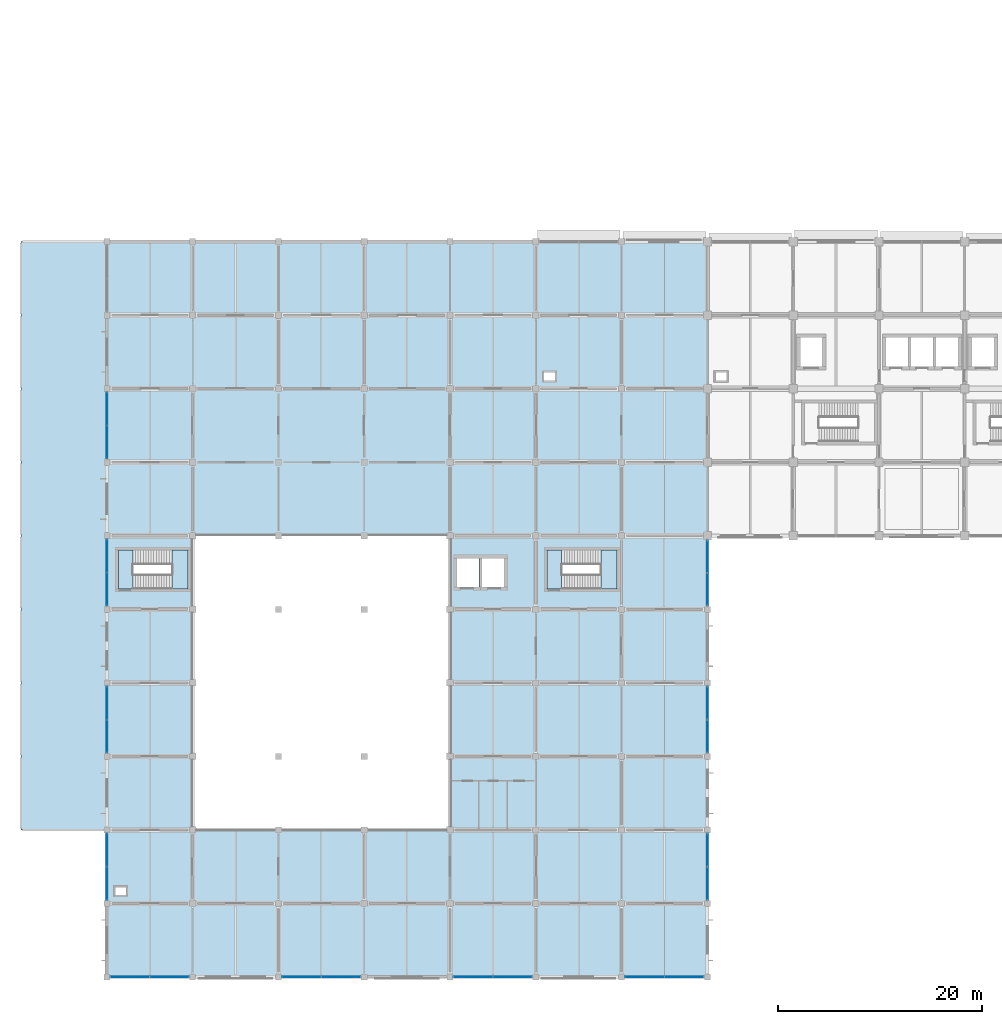
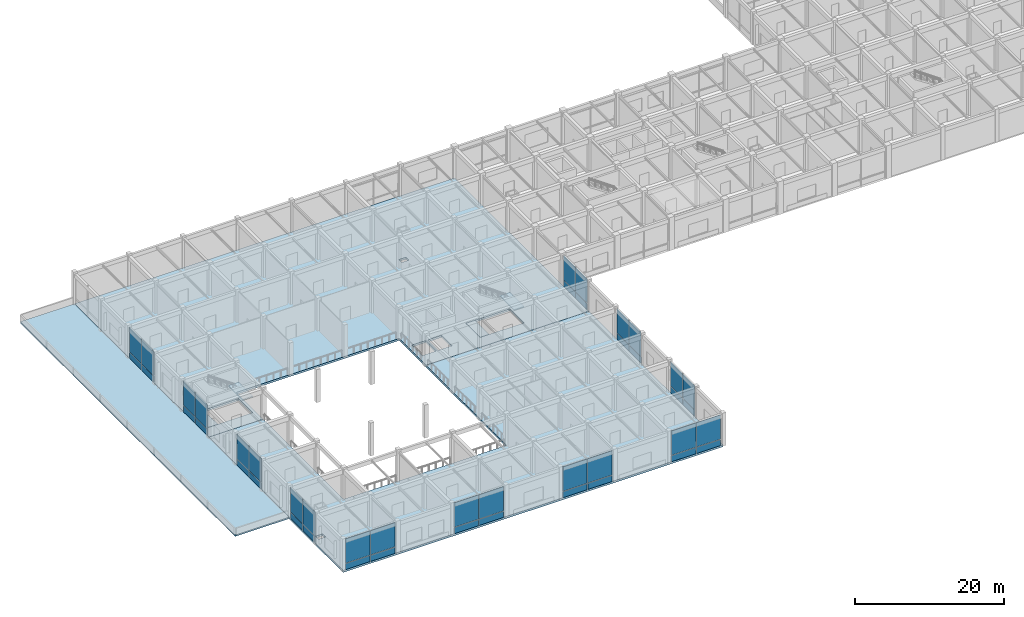
# One storey, part 16 of 38: 44 plates, 7 slabs, 13 elements without a shape of their own.
"""IFC4 building model written with IfcOpenShell, lengths in metres."""

from ifc_helpers import new_model, si_unit, derived_unit, direction, frame, origin, origin_2d, place, context, subcontext, project, spatial, polyline, rectangle, outline, extrude, material, layer, layer_set, type_object, element, aggregate, save


model = new_model("IFC4")

# Units and contexts
model_context = context("Model", 3, precision=1e-05, world=origin(), true_north=direction((0.0, 1.0)))
body_context = subcontext(model_context, "Body", "Model", "MODEL_VIEW")
ifc_project = project(units=[si_unit("LENGTHUNIT", "METRE"), si_unit("AREAUNIT", "SQUARE_METRE"), si_unit("VOLUMEUNIT", "CUBIC_METRE"), si_unit("PLANEANGLEUNIT", "RADIAN"), si_unit("MASSUNIT", "GRAM", prefix="KILO"), derived_unit("THERMALTRANSMITTANCEUNIT", [(si_unit("MASSUNIT", "GRAM", prefix="KILO"), 1), (si_unit("TIMEUNIT", "SECOND"), -3), (si_unit("THERMODYNAMICTEMPERATUREUNIT", "KELVIN"), -1)])], contexts=[model_context])

# Site, building, storey
site_placement = place(None, origin())
site = spatial("IfcSite", under=ifc_project, at=site_placement, CompositionType="ELEMENT")
building_placement = place(site_placement, origin())
building = spatial("IfcBuilding", under=site, at=building_placement, Name="Veldstrom Oceanarium and Marine Research Institute", CompositionType="ELEMENT")
storey_placement = place(building_placement, frame((0.0, 0.0, 11.39990234375)))
storey = spatial("IfcBuildingStorey", under=building, at=storey_placement, Name="L02", CompositionType="ELEMENT", Elevation=11.39990234375)

# Curtain wall, plates
ifc_material_1 = material(Name="Anodised Aluminium Framing", Category="aluminium")
curtain_wall_type_1 = type_object("IfcCurtainWallType", Name="ARC-CW-CW02", PredefinedType="USERDEFINED", material=ifc_material_1)
curtain_wall_1_placement = place(storey_placement, origin())
curtain_wall_1 = element("IfcCurtainWall", 1, at=curtain_wall_1_placement, inside=storey, type_object=curtain_wall_type_1, Name="Curtain Wall CW02 CW-L02-017", ObjectType="Curtain wall", PredefinedType="USERDEFINED")
ifc_material_2 = material(Name="Insulated Aluminium Spandrel", Category="aluminium")
ifc_layer_1 = layer(ifc_material_2, 0.044921875)
ifc_layer_set_1 = layer_set([ifc_layer_1], Name="ARC-PLT-CP02")
plate_type_1 = type_object("IfcPlateType", Name="ARC-PLT-CP02", PredefinedType="CURTAIN_PANEL", material=ifc_layer_set_1)
plate_1_placement = place(storey_placement, frame((10.669921875, 0.0, 0.02001953125), z_axis=(0.0, 0.0, 1.0), x_axis=(1.0, 0.0, 0.0)))
plate_1 = element("IfcPlate", 2, at=plate_1_placement, type_object=plate_type_1, Name="Curtain Spandrel Panel CW-L02-017-PNL-S1", PredefinedType="CURTAIN_PANEL", context=body_context, shape_type="SweptSolid", body=[
    extrude(rectangle(XDim=3.780029296875, YDim=0.044921875, at=origin_2d()), origin(), (0.0, 0.0, 1.0), 0.989990234375),
])
plate_2_placement = place(storey_placement, frame((14.530029296875, 0.0, 0.02001953125), z_axis=(0.0, 0.0, 1.0), x_axis=(1.0, 0.0, 0.0)))
plate_2 = element("IfcPlate", 3, at=plate_2_placement, type_object=plate_type_1, Name="Curtain Spandrel Panel CW-L02-017-PNL-S2", PredefinedType="CURTAIN_PANEL", context=body_context, shape_type="SweptSolid", body=[
    extrude(rectangle(XDim=3.780029296875, YDim=0.044921875, at=origin_2d()), origin(), (0.0, 0.0, 1.0), 0.989990234375),
])

curtain_wall_2_placement = place(storey_placement, origin())
curtain_wall_2 = element("IfcCurtainWall", 4, at=curtain_wall_2_placement, inside=storey, type_object=curtain_wall_type_1, Name="Curtain Wall CW02 CW-L02-023", ObjectType="Curtain wall", PredefinedType="USERDEFINED")
plate_3_placement = place(storey_placement, frame((27.469970703125, 0.0, 0.02001953125), z_axis=(0.0, 0.0, 1.0), x_axis=(1.0, 0.0, 0.0)))
plate_3 = element("IfcPlate", 5, at=plate_3_placement, type_object=plate_type_1, Name="Curtain Spandrel Panel CW-L02-023-PNL-S1", PredefinedType="CURTAIN_PANEL", context=body_context, shape_type="SweptSolid", body=[
    extrude(rectangle(XDim=3.780029296875, YDim=0.044921875, at=origin_2d()), origin(), (0.0, 0.0, 1.0), 0.989990234375),
])
plate_4_placement = place(storey_placement, frame((31.330078125, 0.0, 0.02001953125), z_axis=(0.0, 0.0, 1.0), x_axis=(1.0, 0.0, 0.0)))
plate_4 = element("IfcPlate", 6, at=plate_4_placement, type_object=plate_type_1, Name="Curtain Spandrel Panel CW-L02-023-PNL-S2", PredefinedType="CURTAIN_PANEL", context=body_context, shape_type="SweptSolid", body=[
    extrude(rectangle(XDim=3.780029296875, YDim=0.044921875, at=origin_2d()), origin(), (0.0, 0.0, 1.0), 0.989990234375),
])

curtain_wall_3_placement = place(storey_placement, origin())
curtain_wall_3 = element("IfcCurtainWall", 7, at=curtain_wall_3_placement, inside=storey, type_object=curtain_wall_type_1, Name="Curtain Wall CW02 CW-L02-024", ObjectType="Curtain wall", PredefinedType="USERDEFINED")
plate_5_placement = place(storey_placement, frame((44.27001953125, 0.0, 0.02001953125), z_axis=(0.0, 0.0, 1.0), x_axis=(1.0, 0.0, 0.0)))
plate_5 = element("IfcPlate", 8, at=plate_5_placement, type_object=plate_type_1, Name="Curtain Spandrel Panel CW-L02-024-PNL-S1", PredefinedType="CURTAIN_PANEL", context=body_context, shape_type="SweptSolid", body=[
    extrude(rectangle(XDim=3.780029296875, YDim=0.044921875, at=origin_2d()), origin(), (0.0, 0.0, 1.0), 0.989990234375),
])
plate_6_placement = place(storey_placement, frame((48.1298828125, 0.0, 0.02001953125), z_axis=(0.0, 0.0, 1.0), x_axis=(1.0, 0.0, 0.0)))
plate_6 = element("IfcPlate", 9, at=plate_6_placement, type_object=plate_type_1, Name="Curtain Spandrel Panel CW-L02-024-PNL-S2", PredefinedType="CURTAIN_PANEL", context=body_context, shape_type="SweptSolid", body=[
    extrude(rectangle(XDim=3.780029296875, YDim=0.044921875, at=origin_2d()), origin(), (0.0, 0.0, 1.0), 0.989990234375),
])

curtain_wall_4_placement = place(storey_placement, origin())
curtain_wall_4 = element("IfcCurtainWall", 10, at=curtain_wall_4_placement, inside=storey, type_object=curtain_wall_type_1, Name="Curtain Wall CW02 CW-L02-026", ObjectType="Curtain wall", PredefinedType="USERDEFINED")
plate_7_placement = place(storey_placement, frame((61.070068359375, 0.0, 0.02001953125), z_axis=(0.0, 0.0, 1.0), x_axis=(1.0, 0.0, 0.0)))
plate_7 = element("IfcPlate", 11, at=plate_7_placement, type_object=plate_type_1, Name="Curtain Spandrel Panel CW-L02-026-PNL-S1", PredefinedType="CURTAIN_PANEL", context=body_context, shape_type="SweptSolid", body=[
    extrude(rectangle(XDim=3.780029296875, YDim=0.044921875, at=origin_2d()), origin(), (0.0, 0.0, 1.0), 0.989990234375),
])
plate_8_placement = place(storey_placement, frame((64.929931640625, 0.0, 0.02001953125), z_axis=(0.0, 0.0, 1.0), x_axis=(1.0, 0.0, 0.0)))
plate_8 = element("IfcPlate", 12, at=plate_8_placement, type_object=plate_type_1, Name="Curtain Spandrel Panel CW-L02-026-PNL-S2", PredefinedType="CURTAIN_PANEL", context=body_context, shape_type="SweptSolid", body=[
    extrude(rectangle(XDim=3.780029296875, YDim=0.044921875, at=origin_2d()), origin(), (0.0, 0.0, 1.0), 0.989990234375),
])

ifc_material_3 = material(Name="Anodised Aluminium Framing", Category="aluminium")
curtain_wall_type_2 = type_object("IfcCurtainWallType", Name="ARC-CW-CW06", PredefinedType="USERDEFINED", material=ifc_material_3)
curtain_wall_5_placement = place(storey_placement, origin())
curtain_wall_5 = element("IfcCurtainWall", 13, at=curtain_wall_5_placement, inside=storey, type_object=curtain_wall_type_2, Name="Curtain Wall CW06 CW-L02-018", ObjectType="Curtain wall", PredefinedType="USERDEFINED")
ifc_material_4 = material(Name="Insulated Aluminium Spandrel", Category="aluminium")
ifc_layer_2 = layer(ifc_material_4, 0.044921875)
ifc_layer_set_2 = layer_set([ifc_layer_2], Name="ARC-PLT-CP06")
plate_type_2 = type_object("IfcPlateType", Name="ARC-PLT-CP06", PredefinedType="CURTAIN_PANEL", material=ifc_layer_set_2)
plate_9_placement = place(storey_placement, frame((8.39990234375, 9.169921875, 0.02001953125), z_axis=(0.0, 0.0, 1.0), x_axis=(0.0, 1.0, 0.0)))
plate_9 = element("IfcPlate", 14, at=plate_9_placement, type_object=plate_type_2, Name="Curtain Spandrel Panel CW-L02-018-PNL-S1", PredefinedType="CURTAIN_PANEL", context=body_context, shape_type="SweptSolid", body=[
    extrude(rectangle(XDim=3.179931640625, YDim=0.044921875, at=origin_2d()), origin(), (0.0, 0.0, 1.0), 0.989990234375),
])
plate_10_placement = place(storey_placement, frame((8.39990234375, 12.429931640625, 0.02001953125), z_axis=(0.0, 0.0, 1.0), x_axis=(0.0, 1.0, 0.0)))
plate_10 = element("IfcPlate", 15, at=plate_10_placement, type_object=plate_type_2, Name="Curtain Spandrel Panel CW-L02-018-PNL-S2", PredefinedType="CURTAIN_PANEL", context=body_context, shape_type="SweptSolid", body=[
    extrude(rectangle(XDim=3.179931640625, YDim=0.044921875, at=origin_2d()), origin(), (0.0, 0.0, 1.0), 0.989990234375),
])

curtain_wall_6_placement = place(storey_placement, origin())
curtain_wall_6 = element("IfcCurtainWall", 16, at=curtain_wall_6_placement, inside=storey, type_object=curtain_wall_type_2, Name="Curtain Wall CW06 CW-L02-019", ObjectType="Curtain wall", PredefinedType="USERDEFINED")
plate_11_placement = place(storey_placement, frame((8.39990234375, 23.570068359375, 0.02001953125), z_axis=(0.0, 0.0, 1.0), x_axis=(0.0, 1.0, 0.0)))
plate_11 = element("IfcPlate", 17, at=plate_11_placement, type_object=plate_type_2, Name="Curtain Spandrel Panel CW-L02-019-PNL-S1", PredefinedType="CURTAIN_PANEL", context=body_context, shape_type="SweptSolid", body=[
    extrude(rectangle(XDim=3.179931640625, YDim=0.044921875, at=origin_2d()), origin(), (0.0, 0.0, 1.0), 0.989990234375),
])
plate_12_placement = place(storey_placement, frame((8.39990234375, 26.830078125, 0.02001953125), z_axis=(0.0, 0.0, 1.0), x_axis=(0.0, 1.0, 0.0)))
plate_12 = element("IfcPlate", 18, at=plate_12_placement, type_object=plate_type_2, Name="Curtain Spandrel Panel CW-L02-019-PNL-S2", PredefinedType="CURTAIN_PANEL", context=body_context, shape_type="SweptSolid", body=[
    extrude(rectangle(XDim=3.179931640625, YDim=0.044921875, at=origin_2d()), origin(), (0.0, 0.0, 1.0), 0.989990234375),
])

curtain_wall_7_placement = place(storey_placement, origin())
curtain_wall_7 = element("IfcCurtainWall", 19, at=curtain_wall_7_placement, inside=storey, type_object=curtain_wall_type_2, Name="Curtain Wall CW06 CW-L02-020", ObjectType="Curtain wall", PredefinedType="USERDEFINED")
plate_13_placement = place(storey_placement, frame((8.39990234375, 37.969970703125, 0.02001953125), z_axis=(0.0, 0.0, 1.0), x_axis=(0.0, 1.0, 0.0)))
plate_13 = element("IfcPlate", 20, at=plate_13_placement, type_object=plate_type_2, Name="Curtain Spandrel Panel CW-L02-020-PNL-S1", PredefinedType="CURTAIN_PANEL", context=body_context, shape_type="SweptSolid", body=[
    extrude(rectangle(XDim=3.179931640625, YDim=0.044921875, at=origin_2d()), origin(), (0.0, 0.0, 1.0), 0.989990234375),
])
plate_14_placement = place(storey_placement, frame((8.39990234375, 41.22998046875, 0.02001953125), z_axis=(0.0, 0.0, 1.0), x_axis=(0.0, 1.0, 0.0)))
plate_14 = element("IfcPlate", 21, at=plate_14_placement, type_object=plate_type_2, Name="Curtain Spandrel Panel CW-L02-020-PNL-S2", PredefinedType="CURTAIN_PANEL", context=body_context, shape_type="SweptSolid", body=[
    extrude(rectangle(XDim=3.179931640625, YDim=0.044921875, at=origin_2d()), origin(), (0.0, 0.0, 1.0), 0.989990234375),
])

curtain_wall_8_placement = place(storey_placement, origin())
curtain_wall_8 = element("IfcCurtainWall", 22, at=curtain_wall_8_placement, inside=storey, type_object=curtain_wall_type_2, Name="Curtain Wall CW06 CW-L02-021", ObjectType="Curtain wall", PredefinedType="USERDEFINED")
plate_15_placement = place(storey_placement, frame((8.39990234375, 52.3701171875, 0.02001953125), z_axis=(0.0, 0.0, 1.0), x_axis=(0.0, 1.0, 0.0)))
plate_15 = element("IfcPlate", 23, at=plate_15_placement, type_object=plate_type_2, Name="Curtain Spandrel Panel CW-L02-021-PNL-S1", PredefinedType="CURTAIN_PANEL", context=body_context, shape_type="SweptSolid", body=[
    extrude(rectangle(XDim=3.179931640625, YDim=0.044921875, at=origin_2d()), origin(), (0.0, 0.0, 1.0), 0.989990234375),
])
plate_16_placement = place(storey_placement, frame((8.39990234375, 55.6298828125, 0.02001953125), z_axis=(0.0, 0.0, 1.0), x_axis=(0.0, 1.0, 0.0)))
plate_16 = element("IfcPlate", 24, at=plate_16_placement, type_object=plate_type_2, Name="Curtain Spandrel Panel CW-L02-021-PNL-S2", PredefinedType="CURTAIN_PANEL", context=body_context, shape_type="SweptSolid", body=[
    extrude(rectangle(XDim=3.179931640625, YDim=0.044921875, at=origin_2d()), origin(), (0.0, 0.0, 1.0), 0.989990234375),
])

curtain_wall_9_placement = place(storey_placement, origin())
curtain_wall_9 = element("IfcCurtainWall", 25, at=curtain_wall_9_placement, inside=storey, type_object=curtain_wall_type_2, Name="Curtain Wall CW06 CW-L02-027", ObjectType="Curtain wall", PredefinedType="USERDEFINED")
plate_17_placement = place(storey_placement, frame((67.199951171875, 9.169921875, 0.02001953125), z_axis=(0.0, 0.0, 1.0), x_axis=(0.0, 1.0, 0.0)))
plate_17 = element("IfcPlate", 26, at=plate_17_placement, type_object=plate_type_2, Name="Curtain Spandrel Panel CW-L02-027-PNL-S1", PredefinedType="CURTAIN_PANEL", context=body_context, shape_type="SweptSolid", body=[
    extrude(rectangle(XDim=3.179931640625, YDim=0.044921875, at=origin_2d()), origin(), (0.0, 0.0, 1.0), 0.989990234375),
])
plate_18_placement = place(storey_placement, frame((67.199951171875, 12.429931640625, 0.02001953125), z_axis=(0.0, 0.0, 1.0), x_axis=(0.0, 1.0, 0.0)))
plate_18 = element("IfcPlate", 27, at=plate_18_placement, type_object=plate_type_2, Name="Curtain Spandrel Panel CW-L02-027-PNL-S2", PredefinedType="CURTAIN_PANEL", context=body_context, shape_type="SweptSolid", body=[
    extrude(rectangle(XDim=3.179931640625, YDim=0.044921875, at=origin_2d()), origin(), (0.0, 0.0, 1.0), 0.989990234375),
])

curtain_wall_10_placement = place(storey_placement, origin())
curtain_wall_10 = element("IfcCurtainWall", 28, at=curtain_wall_10_placement, inside=storey, type_object=curtain_wall_type_2, Name="Curtain Wall CW06 CW-L02-028", ObjectType="Curtain wall", PredefinedType="USERDEFINED")
plate_19_placement = place(storey_placement, frame((67.199951171875, 23.570068359375, 0.02001953125), z_axis=(0.0, 0.0, 1.0), x_axis=(0.0, 1.0, 0.0)))
plate_19 = element("IfcPlate", 29, at=plate_19_placement, type_object=plate_type_2, Name="Curtain Spandrel Panel CW-L02-028-PNL-S1", PredefinedType="CURTAIN_PANEL", context=body_context, shape_type="SweptSolid", body=[
    extrude(rectangle(XDim=3.179931640625, YDim=0.044921875, at=origin_2d()), origin(), (0.0, 0.0, 1.0), 0.989990234375),
])
plate_20_placement = place(storey_placement, frame((67.199951171875, 26.830078125, 0.02001953125), z_axis=(0.0, 0.0, 1.0), x_axis=(0.0, 1.0, 0.0)))
plate_20 = element("IfcPlate", 30, at=plate_20_placement, type_object=plate_type_2, Name="Curtain Spandrel Panel CW-L02-028-PNL-S2", PredefinedType="CURTAIN_PANEL", context=body_context, shape_type="SweptSolid", body=[
    extrude(rectangle(XDim=3.179931640625, YDim=0.044921875, at=origin_2d()), origin(), (0.0, 0.0, 1.0), 0.989990234375),
])

curtain_wall_11_placement = place(storey_placement, origin())
curtain_wall_11 = element("IfcCurtainWall", 31, at=curtain_wall_11_placement, inside=storey, type_object=curtain_wall_type_2, Name="Curtain Wall CW06 CW-L02-029", ObjectType="Curtain wall", PredefinedType="USERDEFINED")
plate_21_placement = place(storey_placement, frame((67.199951171875, 37.945068359375, 0.02001953125), z_axis=(0.0, 0.0, 1.0), x_axis=(0.0, 1.0, 0.0)))
plate_21 = element("IfcPlate", 32, at=plate_21_placement, type_object=plate_type_2, Name="Curtain Spandrel Panel CW-L02-029-PNL-S1", PredefinedType="CURTAIN_PANEL", context=body_context, shape_type="SweptSolid", body=[
    extrude(rectangle(XDim=3.1298828125, YDim=0.044921875, at=origin_2d()), origin(), (0.0, 0.0, 1.0), 0.989990234375),
])
plate_22_placement = place(storey_placement, frame((67.199951171875, 41.155029296875, 0.02001953125), z_axis=(0.0, 0.0, 1.0), x_axis=(0.0, 1.0, 0.0)))
plate_22 = element("IfcPlate", 33, at=plate_22_placement, type_object=plate_type_2, Name="Curtain Spandrel Panel CW-L02-029-PNL-S2", PredefinedType="CURTAIN_PANEL", context=body_context, shape_type="SweptSolid", body=[
    extrude(rectangle(XDim=3.1298828125, YDim=0.044921875, at=origin_2d()), origin(), (0.0, 0.0, 1.0), 0.989990234375),
])

# Plate
ifc_material_5 = material(Name="Double Glazed Low-E IGU", Category="glass")
ifc_layer_3 = layer(ifc_material_5, 0.035888671875)
ifc_layer_set_3 = layer_set([ifc_layer_3], Name="ARC-PLT-CP09")
plate_type_3 = type_object("IfcPlateType", Name="ARC-PLT-CP09", PredefinedType="CURTAIN_PANEL", material=ifc_layer_set_3)
plate_23_placement = place(storey_placement, frame((10.669921875, 0.0, 1.09033203125), z_axis=(0.0, 0.0, 1.0), x_axis=(1.0, 0.0, 0.0)))
plate_23 = element("IfcPlate", 34, at=plate_23_placement, type_object=plate_type_3, Name="Curtain Vision Panel CW-L02-017-PNL-V1", PredefinedType="CURTAIN_PANEL", context=body_context, shape_type="SweptSolid", body=[
    extrude(rectangle(XDim=3.780029296875, YDim=0.035888671875, at=origin_2d()), origin(), (0.0, 0.0, 1.0), 3.989990234375),
])

plate_24_placement = place(storey_placement, frame((14.530029296875, 0.0, 1.09033203125), z_axis=(0.0, 0.0, 1.0), x_axis=(1.0, 0.0, 0.0)))
plate_24 = element("IfcPlate", 35, at=plate_24_placement, type_object=plate_type_3, Name="Curtain Vision Panel CW-L02-017-PNL-V2", PredefinedType="CURTAIN_PANEL", context=body_context, shape_type="SweptSolid", body=[
    extrude(rectangle(XDim=3.780029296875, YDim=0.035888671875, at=origin_2d()), origin(), (0.0, 0.0, 1.0), 3.989990234375),
])

aggregate(curtain_wall_1, [plate_1, plate_23, plate_2, plate_24])

plate_25_placement = place(storey_placement, frame((27.469970703125, 0.0, 1.09033203125), z_axis=(0.0, 0.0, 1.0), x_axis=(1.0, 0.0, 0.0)))
plate_25 = element("IfcPlate", 36, at=plate_25_placement, type_object=plate_type_3, Name="Curtain Vision Panel CW-L02-023-PNL-V1", PredefinedType="CURTAIN_PANEL", context=body_context, shape_type="SweptSolid", body=[
    extrude(rectangle(XDim=3.780029296875, YDim=0.035888671875, at=origin_2d()), origin(), (0.0, 0.0, 1.0), 3.989990234375),
])

plate_26_placement = place(storey_placement, frame((31.330078125, 0.0, 1.09033203125), z_axis=(0.0, 0.0, 1.0), x_axis=(1.0, 0.0, 0.0)))
plate_26 = element("IfcPlate", 37, at=plate_26_placement, type_object=plate_type_3, Name="Curtain Vision Panel CW-L02-023-PNL-V2", PredefinedType="CURTAIN_PANEL", context=body_context, shape_type="SweptSolid", body=[
    extrude(rectangle(XDim=3.780029296875, YDim=0.035888671875, at=origin_2d()), origin(), (0.0, 0.0, 1.0), 3.989990234375),
])

aggregate(curtain_wall_2, [plate_3, plate_25, plate_4, plate_26])

plate_27_placement = place(storey_placement, frame((44.27001953125, 0.0, 1.09033203125), z_axis=(0.0, 0.0, 1.0), x_axis=(1.0, 0.0, 0.0)))
plate_27 = element("IfcPlate", 38, at=plate_27_placement, type_object=plate_type_3, Name="Curtain Vision Panel CW-L02-024-PNL-V1", PredefinedType="CURTAIN_PANEL", context=body_context, shape_type="SweptSolid", body=[
    extrude(rectangle(XDim=3.780029296875, YDim=0.035888671875, at=origin_2d()), origin(), (0.0, 0.0, 1.0), 3.989990234375),
])

plate_28_placement = place(storey_placement, frame((48.1298828125, 0.0, 1.09033203125), z_axis=(0.0, 0.0, 1.0), x_axis=(1.0, 0.0, 0.0)))
plate_28 = element("IfcPlate", 39, at=plate_28_placement, type_object=plate_type_3, Name="Curtain Vision Panel CW-L02-024-PNL-V2", PredefinedType="CURTAIN_PANEL", context=body_context, shape_type="SweptSolid", body=[
    extrude(rectangle(XDim=3.780029296875, YDim=0.035888671875, at=origin_2d()), origin(), (0.0, 0.0, 1.0), 3.989990234375),
])

aggregate(curtain_wall_3, [plate_5, plate_27, plate_6, plate_28])

plate_29_placement = place(storey_placement, frame((61.070068359375, 0.0, 1.09033203125), z_axis=(0.0, 0.0, 1.0), x_axis=(1.0, 0.0, 0.0)))
plate_29 = element("IfcPlate", 40, at=plate_29_placement, type_object=plate_type_3, Name="Curtain Vision Panel CW-L02-026-PNL-V1", PredefinedType="CURTAIN_PANEL", context=body_context, shape_type="SweptSolid", body=[
    extrude(rectangle(XDim=3.780029296875, YDim=0.035888671875, at=origin_2d()), origin(), (0.0, 0.0, 1.0), 3.989990234375),
])

plate_30_placement = place(storey_placement, frame((64.929931640625, 0.0, 1.09033203125), z_axis=(0.0, 0.0, 1.0), x_axis=(1.0, 0.0, 0.0)))
plate_30 = element("IfcPlate", 41, at=plate_30_placement, type_object=plate_type_3, Name="Curtain Vision Panel CW-L02-026-PNL-V2", PredefinedType="CURTAIN_PANEL", context=body_context, shape_type="SweptSolid", body=[
    extrude(rectangle(XDim=3.780029296875, YDim=0.035888671875, at=origin_2d()), origin(), (0.0, 0.0, 1.0), 3.989990234375),
])

aggregate(curtain_wall_4, [plate_7, plate_29, plate_8, plate_30])

ifc_material_6 = material(Name="Double Glazed Low-E IGU", Category="glass")
ifc_layer_4 = layer(ifc_material_6, 0.035888671875)
ifc_layer_set_4 = layer_set([ifc_layer_4], Name="ARC-PLT-CP10")
plate_type_4 = type_object("IfcPlateType", Name="ARC-PLT-CP10", PredefinedType="CURTAIN_PANEL", material=ifc_layer_set_4)
plate_31_placement = place(storey_placement, frame((8.39990234375, 9.169921875, 1.09033203125), z_axis=(0.0, 0.0, 1.0), x_axis=(0.0, 1.0, 0.0)))
plate_31 = element("IfcPlate", 42, at=plate_31_placement, type_object=plate_type_4, Name="Curtain Vision Panel CW-L02-018-PNL-V1", PredefinedType="CURTAIN_PANEL", context=body_context, shape_type="SweptSolid", body=[
    extrude(rectangle(XDim=3.179931640625, YDim=0.035888671875, at=origin_2d()), origin(), (0.0, 0.0, 1.0), 3.989990234375),
])

plate_32_placement = place(storey_placement, frame((8.39990234375, 12.429931640625, 1.09033203125), z_axis=(0.0, 0.0, 1.0), x_axis=(0.0, 1.0, 0.0)))
plate_32 = element("IfcPlate", 43, at=plate_32_placement, type_object=plate_type_4, Name="Curtain Vision Panel CW-L02-018-PNL-V2", PredefinedType="CURTAIN_PANEL", context=body_context, shape_type="SweptSolid", body=[
    extrude(rectangle(XDim=3.179931640625, YDim=0.035888671875, at=origin_2d()), origin(), (0.0, 0.0, 1.0), 3.989990234375),
])

aggregate(curtain_wall_5, [plate_9, plate_31, plate_10, plate_32])

plate_33_placement = place(storey_placement, frame((8.39990234375, 23.570068359375, 1.09033203125), z_axis=(0.0, 0.0, 1.0), x_axis=(0.0, 1.0, 0.0)))
plate_33 = element("IfcPlate", 44, at=plate_33_placement, type_object=plate_type_4, Name="Curtain Vision Panel CW-L02-019-PNL-V1", PredefinedType="CURTAIN_PANEL", context=body_context, shape_type="SweptSolid", body=[
    extrude(rectangle(XDim=3.179931640625, YDim=0.035888671875, at=origin_2d()), origin(), (0.0, 0.0, 1.0), 3.989990234375),
])

plate_34_placement = place(storey_placement, frame((8.39990234375, 26.830078125, 1.09033203125), z_axis=(0.0, 0.0, 1.0), x_axis=(0.0, 1.0, 0.0)))
plate_34 = element("IfcPlate", 45, at=plate_34_placement, type_object=plate_type_4, Name="Curtain Vision Panel CW-L02-019-PNL-V2", PredefinedType="CURTAIN_PANEL", context=body_context, shape_type="SweptSolid", body=[
    extrude(rectangle(XDim=3.179931640625, YDim=0.035888671875, at=origin_2d()), origin(), (0.0, 0.0, 1.0), 3.989990234375),
])

aggregate(curtain_wall_6, [plate_11, plate_33, plate_12, plate_34])

plate_35_placement = place(storey_placement, frame((8.39990234375, 37.969970703125, 1.09033203125), z_axis=(0.0, 0.0, 1.0), x_axis=(0.0, 1.0, 0.0)))
plate_35 = element("IfcPlate", 46, at=plate_35_placement, type_object=plate_type_4, Name="Curtain Vision Panel CW-L02-020-PNL-V1", PredefinedType="CURTAIN_PANEL", context=body_context, shape_type="SweptSolid", body=[
    extrude(rectangle(XDim=3.179931640625, YDim=0.035888671875, at=origin_2d()), origin(), (0.0, 0.0, 1.0), 3.989990234375),
])

plate_36_placement = place(storey_placement, frame((8.39990234375, 41.22998046875, 1.09033203125), z_axis=(0.0, 0.0, 1.0), x_axis=(0.0, 1.0, 0.0)))
plate_36 = element("IfcPlate", 47, at=plate_36_placement, type_object=plate_type_4, Name="Curtain Vision Panel CW-L02-020-PNL-V2", PredefinedType="CURTAIN_PANEL", context=body_context, shape_type="SweptSolid", body=[
    extrude(rectangle(XDim=3.179931640625, YDim=0.035888671875, at=origin_2d()), origin(), (0.0, 0.0, 1.0), 3.989990234375),
])

aggregate(curtain_wall_7, [plate_13, plate_35, plate_14, plate_36])

plate_37_placement = place(storey_placement, frame((8.39990234375, 52.3701171875, 1.09033203125), z_axis=(0.0, 0.0, 1.0), x_axis=(0.0, 1.0, 0.0)))
plate_37 = element("IfcPlate", 48, at=plate_37_placement, type_object=plate_type_4, Name="Curtain Vision Panel CW-L02-021-PNL-V1", PredefinedType="CURTAIN_PANEL", context=body_context, shape_type="SweptSolid", body=[
    extrude(rectangle(XDim=3.179931640625, YDim=0.035888671875, at=origin_2d()), origin(), (0.0, 0.0, 1.0), 3.989990234375),
])

plate_38_placement = place(storey_placement, frame((8.39990234375, 55.6298828125, 1.09033203125), z_axis=(0.0, 0.0, 1.0), x_axis=(0.0, 1.0, 0.0)))
plate_38 = element("IfcPlate", 49, at=plate_38_placement, type_object=plate_type_4, Name="Curtain Vision Panel CW-L02-021-PNL-V2", PredefinedType="CURTAIN_PANEL", context=body_context, shape_type="SweptSolid", body=[
    extrude(rectangle(XDim=3.179931640625, YDim=0.035888671875, at=origin_2d()), origin(), (0.0, 0.0, 1.0), 3.989990234375),
])

aggregate(curtain_wall_8, [plate_15, plate_37, plate_16, plate_38])

plate_39_placement = place(storey_placement, frame((67.199951171875, 9.169921875, 1.09033203125), z_axis=(0.0, 0.0, 1.0), x_axis=(0.0, 1.0, 0.0)))
plate_39 = element("IfcPlate", 50, at=plate_39_placement, type_object=plate_type_4, Name="Curtain Vision Panel CW-L02-027-PNL-V1", PredefinedType="CURTAIN_PANEL", context=body_context, shape_type="SweptSolid", body=[
    extrude(rectangle(XDim=3.179931640625, YDim=0.035888671875, at=origin_2d()), origin(), (0.0, 0.0, 1.0), 3.989990234375),
])

plate_40_placement = place(storey_placement, frame((67.199951171875, 12.429931640625, 1.09033203125), z_axis=(0.0, 0.0, 1.0), x_axis=(0.0, 1.0, 0.0)))
plate_40 = element("IfcPlate", 51, at=plate_40_placement, type_object=plate_type_4, Name="Curtain Vision Panel CW-L02-027-PNL-V2", PredefinedType="CURTAIN_PANEL", context=body_context, shape_type="SweptSolid", body=[
    extrude(rectangle(XDim=3.179931640625, YDim=0.035888671875, at=origin_2d()), origin(), (0.0, 0.0, 1.0), 3.989990234375),
])

aggregate(curtain_wall_9, [plate_17, plate_39, plate_18, plate_40])

plate_41_placement = place(storey_placement, frame((67.199951171875, 23.570068359375, 1.09033203125), z_axis=(0.0, 0.0, 1.0), x_axis=(0.0, 1.0, 0.0)))
plate_41 = element("IfcPlate", 52, at=plate_41_placement, type_object=plate_type_4, Name="Curtain Vision Panel CW-L02-028-PNL-V1", PredefinedType="CURTAIN_PANEL", context=body_context, shape_type="SweptSolid", body=[
    extrude(rectangle(XDim=3.179931640625, YDim=0.035888671875, at=origin_2d()), origin(), (0.0, 0.0, 1.0), 3.989990234375),
])

plate_42_placement = place(storey_placement, frame((67.199951171875, 26.830078125, 1.09033203125), z_axis=(0.0, 0.0, 1.0), x_axis=(0.0, 1.0, 0.0)))
plate_42 = element("IfcPlate", 53, at=plate_42_placement, type_object=plate_type_4, Name="Curtain Vision Panel CW-L02-028-PNL-V2", PredefinedType="CURTAIN_PANEL", context=body_context, shape_type="SweptSolid", body=[
    extrude(rectangle(XDim=3.179931640625, YDim=0.035888671875, at=origin_2d()), origin(), (0.0, 0.0, 1.0), 3.989990234375),
])

aggregate(curtain_wall_10, [plate_19, plate_41, plate_20, plate_42])

plate_43_placement = place(storey_placement, frame((67.199951171875, 37.945068359375, 1.09033203125), z_axis=(0.0, 0.0, 1.0), x_axis=(0.0, 1.0, 0.0)))
plate_43 = element("IfcPlate", 54, at=plate_43_placement, type_object=plate_type_4, Name="Curtain Vision Panel CW-L02-029-PNL-V1", PredefinedType="CURTAIN_PANEL", context=body_context, shape_type="SweptSolid", body=[
    extrude(rectangle(XDim=3.1298828125, YDim=0.035888671875, at=origin_2d()), origin(), (0.0, 0.0, 1.0), 3.989990234375),
])

plate_44_placement = place(storey_placement, frame((67.199951171875, 41.155029296875, 1.09033203125), z_axis=(0.0, 0.0, 1.0), x_axis=(0.0, 1.0, 0.0)))
plate_44 = element("IfcPlate", 55, at=plate_44_placement, type_object=plate_type_4, Name="Curtain Vision Panel CW-L02-029-PNL-V2", PredefinedType="CURTAIN_PANEL", context=body_context, shape_type="SweptSolid", body=[
    extrude(rectangle(XDim=3.1298828125, YDim=0.035888671875, at=origin_2d()), origin(), (0.0, 0.0, 1.0), 3.989990234375),
])

aggregate(curtain_wall_11, [plate_21, plate_43, plate_22, plate_44])

# Slabs
ifc_material_7 = material(Name="Concrete C40/50", Category="concrete")
ifc_layer_5 = layer(ifc_material_7, 0.324951171875)
ifc_layer_set_5 = layer_set([ifc_layer_5], Name="STR-SLB-FL0325")
slab_type_1 = type_object("IfcSlabType", Name="STR-SLB-FL0325", PredefinedType="FLOOR", material=ifc_layer_set_5)
slab_1_placement = place(storey_placement, frame((0.0, 0.0, -0.324951171875)))
element("IfcSlab", 56, at=slab_1_placement, inside=storey, type_object=slab_type_1, Name="Slab SF-325 L02 WS", PredefinedType="FLOOR", context=body_context, shape_type="SweptSolid", body=[
    extrude(outline(polyline([(67.199951171875, 36.0), (67.199951171875, 28.800048828125), (67.199951171875, 21.60009765625), (67.199951171875, 14.39990234375), (67.199951171875, 7.199951171875), (67.199951171875, 0.0), (58.800048828125, 0.0), (50.39990234375, 0.0), (42.0, 0.0), (33.60009765625, 0.0), (25.199951171875, 0.0), (16.800048828125, 0.0), (8.39990234375, 0.0), (8.39990234375, 7.199951171875), (8.39990234375, 14.39990234375), (8.39990234375, 21.60009765625), (8.39990234375, 28.800048828125), (8.39990234375, 36.0), (16.800048828125, 36.0), (16.800048828125, 28.800048828125), (16.800048828125, 21.60009765625), (16.800048828125, 14.39990234375), (25.199951171875, 14.39990234375), (33.60009765625, 14.39990234375), (42.0, 14.39990234375), (42.0, 21.60009765625), (42.0, 28.800048828125), (42.0, 36.0), (50.39990234375, 36.0), (58.800048828125, 36.0), (67.199951171875, 36.0)]), holes=[polyline([(10.300048828125, 8.800048828125), (9.199951171875, 8.800048828125), (9.199951171875, 8.0), (10.300048828125, 8.0), (10.300048828125, 8.800048828125)])]), origin(), (0.0, 0.0, 1.0), 0.324951171875),
])
slab_2_placement = place(storey_placement, frame((0.0, 0.0, -0.324951171875)))
element("IfcSlab", 57, at=slab_2_placement, inside=storey, type_object=slab_type_1, Name="Slab SF-325 L02 WN", PredefinedType="FLOOR", context=body_context, shape_type="SweptSolid", body=[
    extrude(outline(polyline([(58.800048828125, 36.0), (50.39990234375, 36.0), (42.0, 36.0), (42.0, 43.199951171875), (33.60009765625, 43.199951171875), (25.199951171875, 43.199951171875), (16.800048828125, 43.199951171875), (16.800048828125, 36.0), (8.39990234375, 36.0), (8.39990234375, 43.199951171875), (8.39990234375, 50.39990234375), (8.39990234375, 57.60009765625), (8.39990234375, 64.800048828125), (8.39990234375, 72.0), (16.800048828125, 72.0), (25.199951171875, 72.0), (33.60009765625, 72.0), (42.0, 72.0), (50.39990234375, 72.0), (58.800048828125, 72.0), (67.199951171875, 72.0), (67.199951171875, 64.800048828125), (67.199951171875, 57.60009765625), (67.199951171875, 50.39990234375), (67.199951171875, 43.199951171875), (67.199951171875, 36.0), (58.800048828125, 36.0)]), holes=[polyline([(16.360107421875, 41.800048828125), (9.52001953125, 41.800048828125), (9.52001953125, 38.0), (16.360107421875, 38.0), (16.360107421875, 41.800048828125)]), polyline([(51.52001953125, 38.0), (58.360107421875, 38.0), (58.360107421875, 41.800048828125), (51.52001953125, 41.800048828125), (51.52001953125, 38.0)]), polyline([(44.85009765625, 38.199951171875), (44.85009765625, 41.0), (42.699951171875, 41.0), (42.699951171875, 38.199951171875), (44.85009765625, 38.199951171875)]), polyline([(45.14990234375, 38.199951171875), (47.300048828125, 38.199951171875), (47.300048828125, 41.0), (45.14990234375, 41.0), (45.14990234375, 38.199951171875)]), polyline([(52.300048828125, 59.199951171875), (51.199951171875, 59.199951171875), (51.199951171875, 58.39990234375), (52.300048828125, 58.39990234375), (52.300048828125, 59.199951171875)])]), origin(), (0.0, 0.0, 1.0), 0.324951171875),
])

# Stair, slab
ifc_material_8 = material(Name="Concrete C40/50", Category="concrete")
stair_type = type_object("IfcStairType", Name="ARC-STR-ST-540", PredefinedType="TWO_STRAIGHT_RUN_STAIR", material=ifc_material_8)
stair_1_placement = place(storey_placement, origin())
stair_1 = element("IfcStair", 58, at=stair_1_placement, inside=storey, type_object=stair_type, Name="Dog-Leg Escape Stair ST3-L02", PredefinedType="TWO_STRAIGHT_RUN_STAIR")
ifc_material_9 = material(Name="Concrete C40/50", Category="concrete")
ifc_layer_6 = layer(ifc_material_9, 0.179931640625)
ifc_layer_set_6 = layer_set([ifc_layer_6], Name="STR-SLB-LD180")
slab_type_2 = type_object("IfcSlabType", Name="STR-SLB-LD180", PredefinedType="LANDING", material=ifc_layer_set_6)
slab_3_placement = place(storey_placement, frame((0.0, 0.0, 2.52001953125)))
slab_3 = element("IfcSlab", 59, at=slab_3_placement, type_object=slab_type_2, Name="Stair Half-Landing ST3 L02", PredefinedType="LANDING", context=body_context, shape_type="SweptSolid", body=[
    extrude(outline(polyline([(14.764892578125, 38.0), (16.360107421875, 38.0), (16.360107421875, 41.800048828125), (14.764892578125, 41.800048828125), (14.764892578125, 38.0)])), origin(), (0.0, 0.0, 1.0), 0.18017578125),
])
aggregate(stair_1, [slab_3])

stair_2_placement = place(storey_placement, origin())
stair_2 = element("IfcStair", 60, at=stair_2_placement, inside=storey, type_object=stair_type, Name="Dog-Leg Escape Stair ST6-L02", PredefinedType="TWO_STRAIGHT_RUN_STAIR")
slab_4_placement = place(storey_placement, frame((0.0, 0.0, 2.52001953125)))
slab_4 = element("IfcSlab", 61, at=slab_4_placement, type_object=slab_type_2, Name="Stair Half-Landing ST6 L02", PredefinedType="LANDING", context=body_context, shape_type="SweptSolid", body=[
    extrude(outline(polyline([(56.764892578125, 38.0), (58.360107421875, 38.0), (58.360107421875, 41.800048828125), (56.764892578125, 41.800048828125), (56.764892578125, 38.0)])), origin(), (0.0, 0.0, 1.0), 0.18017578125),
])
aggregate(stair_2, [slab_4])

# Slabs
ifc_material_10 = material(Name="Concrete C40/50", Category="concrete")
ifc_layer_7 = layer(ifc_material_10, 0.199951171875)
ifc_layer_set_7 = layer_set([ifc_layer_7], Name="STR-SLB-LD200")
slab_type_3 = type_object("IfcSlabType", Name="STR-SLB-LD200", PredefinedType="LANDING", material=ifc_layer_set_7)
slab_5_placement = place(storey_placement, frame((0.0, 0.0, -0.199951171875)))
element("IfcSlab", 62, at=slab_5_placement, inside=storey, type_object=slab_type_3, Name="Stair Floor Landing ST3 L02", PredefinedType="LANDING", context=body_context, shape_type="SweptSolid", body=[
    extrude(outline(polyline([(9.52001953125, 38.0), (10.93994140625, 38.0), (10.93994140625, 41.800048828125), (9.52001953125, 41.800048828125), (9.52001953125, 38.0)])), origin(), (0.0, 0.0, 1.0), 0.199951171875),
])
slab_6_placement = place(storey_placement, frame((0.0, 0.0, -0.199951171875)))
element("IfcSlab", 63, at=slab_6_placement, inside=storey, type_object=slab_type_3, Name="Stair Floor Landing ST6 L02", PredefinedType="LANDING", context=body_context, shape_type="SweptSolid", body=[
    extrude(outline(polyline([(51.52001953125, 38.0), (52.93994140625, 38.0), (52.93994140625, 41.800048828125), (51.52001953125, 41.800048828125), (51.52001953125, 38.0)])), origin(), (0.0, 0.0, 1.0), 0.199951171875),
])
ifc_material_11 = material(Name="Concrete C40/50", Category="concrete")
ifc_layer_8 = layer(ifc_material_11, 0.22509765625)
ifc_layer_set_8 = layer_set([ifc_layer_8], Name="STR-SLB-RF0225")
slab_type_4 = type_object("IfcSlabType", Name="STR-SLB-RF0225", PredefinedType="ROOF", material=ifc_layer_set_8)
slab_7_placement = place(storey_placement, frame((0.0, 0.0, -0.224853515625)))
element("IfcSlab", 64, at=slab_7_placement, inside=storey, type_object=slab_type_4, Name="Maintenance Roof Slab L01", PredefinedType="ROOF", context=body_context, shape_type="SweptSolid", body=[
    extrude(outline(polyline([(0.0, 28.800048828125), (0.0, 36.0), (0.0, 43.199951171875), (0.0, 50.39990234375), (0.0, 57.60009765625), (0.0, 64.800048828125), (0.0, 72.0), (8.39990234375, 72.0), (8.39990234375, 64.800048828125), (8.39990234375, 57.60009765625), (8.39990234375, 50.39990234375), (8.39990234375, 43.199951171875), (8.39990234375, 36.0), (8.39990234375, 28.800048828125), (8.39990234375, 21.60009765625), (8.39990234375, 14.39990234375), (0.0, 14.39990234375), (0.0, 21.60009765625), (0.0, 28.800048828125)])), origin(), (0.0, 0.0, 1.0), 0.224853515625),
])

save(model, "model.ifc")
